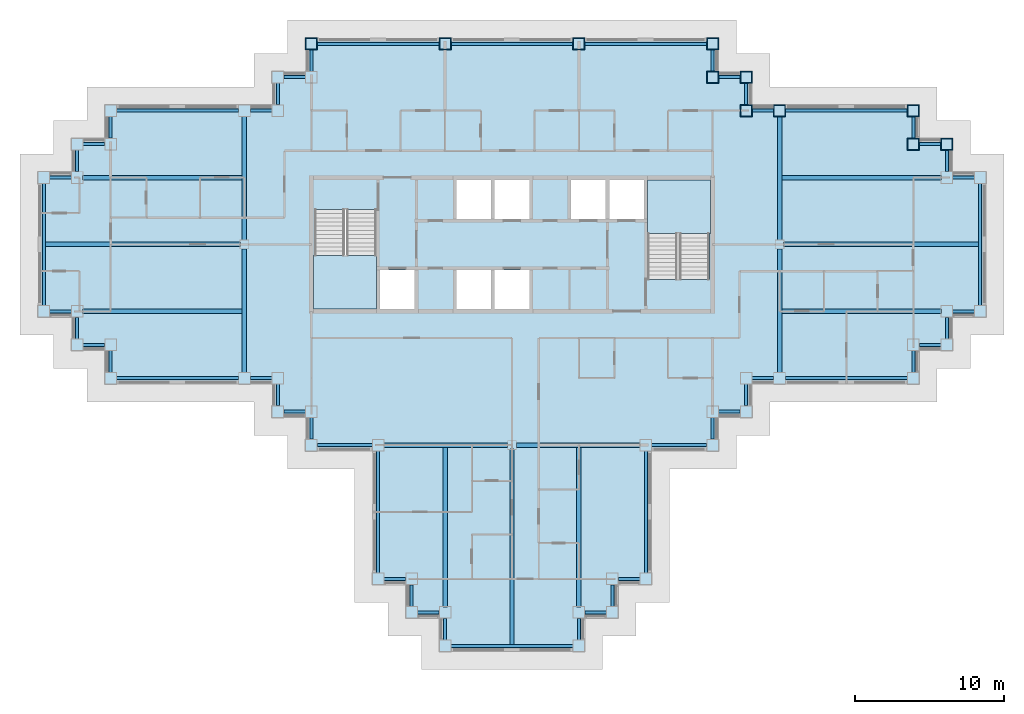
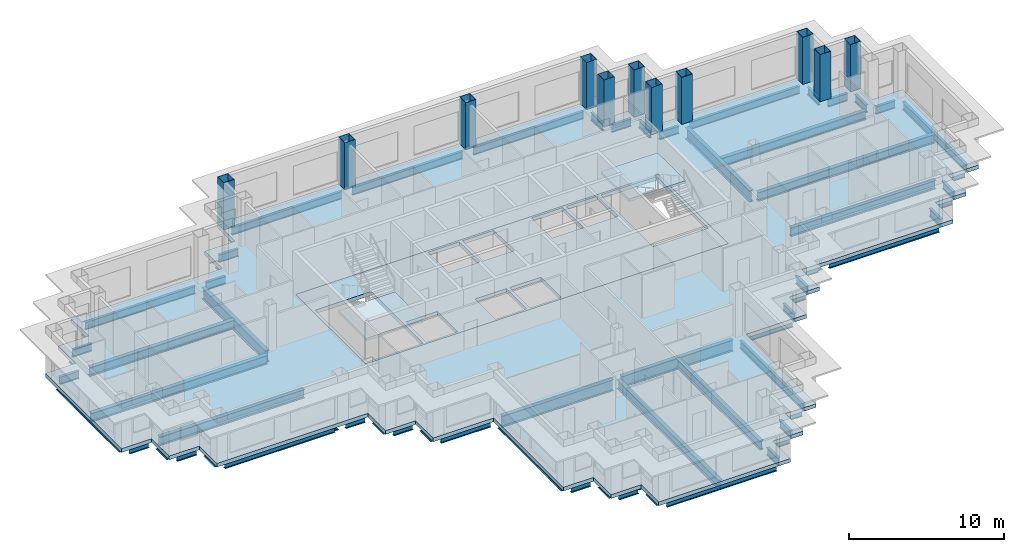
# One storey, part 2 of 13: 69 beams, 11 columns, 4 slabs, 2 elements without a shape of their own.
"""IFC4 building model written with IfcOpenShell, lengths in metres."""

from ifc_helpers import new_model, si_unit, direction, frame, origin, origin_2d, place, context, subcontext, project, spatial, polyline, hollow_rectangle, i_section, outline, extrude, material, layer, layer_set, material_profile, profile_set, type_object, element, aggregate, save


model = new_model("IFC4")

# Units and contexts
model_context = context("Model", 3, precision=1e-05, world=origin(), true_north=direction((0.0, 1.0)))
body_context = subcontext(model_context, "Body", "Model", "MODEL_VIEW")
ifc_project = project(units=[si_unit("LENGTHUNIT", "METRE"), si_unit("AREAUNIT", "SQUARE_METRE"), si_unit("VOLUMEUNIT", "CUBIC_METRE"), si_unit("PLANEANGLEUNIT", "RADIAN"), si_unit("MASSUNIT", "GRAM", prefix="KILO")], contexts=[model_context])

# Site, building, storey
site_placement = place(None, origin())
site = spatial("IfcSite", under=ifc_project, at=site_placement, CompositionType="ELEMENT")
building_placement = place(site_placement, origin())
building = spatial("IfcBuilding", under=site, at=building_placement, Name="Caravel Reach Hotel and Residences", CompositionType="ELEMENT")
storey_placement = place(building_placement, frame((0.0, 0.0, 158.0)))
storey = spatial("IfcBuildingStorey", under=building, at=storey_placement, Name="L39", CompositionType="ELEMENT", Elevation=158.0)

# Columns
ifc_material_1 = material(Name="Concrete-filled steel tube Q390B with Concrete C60 infill", Category="concrete")
ifc_material_profile_1 = material_profile(ifc_material_1, hollow_rectangle(XDim=0.800048828125, YDim=0.800048828125, WallThickness=0.02490234375, at=origin_2d()), Name="RHS 800x800x25")
ifc_profile_set_1 = profile_set([ifc_material_profile_1], Name="Concrete-filled steel tube Q390B with Concrete C60 infill")
column_type = type_object("IfcColumnType", Name="CFT 800x800 Q390B C60", PredefinedType="COLUMN", material=ifc_profile_set_1)
for number, where, z_axis, x_axis, name in (
    (1, (60.75, 33.75, 0.0), (0.0, 0.0, 1.0), (1.0, 0.0, 0.0), "C5 column"),
    (2, (58.5, 33.75, 0.0), (0.0, 0.0, 1.0), (1.0, 0.0, 0.0), "C5 column"),
    (3, (58.5, 36.0, 0.0), (0.0, 0.0, 1.0), (1.0, 0.0, 0.0), "C5 column"),
    (4, (49.5, 36.0, 0.0), (0.0, 0.0, 1.0), (1.0, 0.0, 0.0), "C5 column"),
    (5, (47.25, 36.0, 0.0), (0.0, 0.0, 1.0), (1.0, 0.0, 0.0), "C5 column"),
    (6, (47.25, 38.25, 0.0), (0.0, 0.0, 1.0), (1.0, 0.0, 0.0), "C5 column"),
    (7, (45.0, 38.25, 0.0), (0.0, 0.0, 1.0), (1.0, 0.0, 0.0), "C5 column"),
    (8, (45.0, 40.5, 0.0), (0.0, 0.0, 1.0), (1.0, 0.0, 0.0), "C5 column"),
    (9, (36.0, 40.5, 0.0), (0.0, 0.0, 1.0), (1.0, 0.0, 0.0), "C5 column"),
    (10, (27.0, 40.5, 0.0), (0.0, 0.0, 1.0), (1.0, 0.0, 0.0), "C5 column"),
    (11, (18.0, 40.5, 0.0), (0.0, 0.0, 1.0), (1.0, 0.0, 0.0), "C5 column"),
):
    element("IfcColumn", number, at=place(storey_placement, frame(where, z_axis=z_axis, x_axis=x_axis)), inside=storey, type_object=column_type, Name=name, PredefinedType="COLUMN", context=body_context, shape_type="SweptSolid", body=[
        extrude(hollow_rectangle(XDim=0.800048828125, YDim=0.800048828125, WallThickness=0.02490234375, at=origin_2d()), origin(), (0.0, 0.0, 1.0), 3.699951171875),
    ])

# Beams
ifc_material_2 = material(Name="Structural steel Q355B", Category="steel")
ifc_material_profile_2 = material_profile(ifc_material_2, i_section(OverallWidth=0.300048828125, OverallDepth=0.699951171875, WebThickness=0.012939453125, FlangeThickness=0.02392578125, FilletRadius=0.01806640625, at=origin_2d()), Name="HN 700x300x13x24")
ifc_profile_set_2 = profile_set([ifc_material_profile_2], Name="Structural steel Q355B")
beam_type_1 = type_object("IfcBeamType", Name="Beam HN 700x300x13x24", PredefinedType="BEAM", material=ifc_profile_set_2)
beam_1_placement = place(storey_placement, frame((27.0, 13.39990234375, -0.64990234375), z_axis=(0.0, -1.0, 0.0), x_axis=(1.0, 0.0, 0.0)))
element("IfcBeam", 12, at=beam_1_placement, inside=storey, type_object=beam_type_1, Name="B2 HN 700x300x13x24", PredefinedType="BEAM", context=body_context, shape_type="SweptSolid", body=[
    extrude(i_section(OverallWidth=0.300048828125, OverallDepth=0.699951171875, WebThickness=0.012939453125, FlangeThickness=0.02392578125, FilletRadius=0.01806640625, at=origin_2d()), origin(), (0.0, 0.0, 1.0), 10.7998046875),
])
beam_2_placement = place(storey_placement, frame((31.5, 13.25, -0.64990234375), z_axis=(0.0, -1.0, 0.0), x_axis=(1.0, 0.0, 0.0)))
element("IfcBeam", 13, at=beam_2_placement, inside=storey, type_object=beam_type_1, Name="B2 HN 700x300x13x24", PredefinedType="BEAM", context=body_context, shape_type="SweptSolid", body=[
    extrude(i_section(OverallWidth=0.300048828125, OverallDepth=0.699951171875, WebThickness=0.012939453125, FlangeThickness=0.02392578125, FilletRadius=0.01806640625, at=origin_2d()), origin(), (0.0, 0.0, 1.0), 13.14990234375),
])
for number, where, z_axis, x_axis, name in (
    (14, (36.0, 13.39990234375, -0.64990234375), (0.0, -1.0, 0.0), (1.0, 0.0, 0.0), "B2 HN 700x300x13x24"),
    (15, (49.60009765625, 22.5, -0.64990234375), (1.0, 0.0, 0.0), (0.0, 1.0, 0.0), "B2 HN 700x300x13x24"),
):
    element("IfcBeam", number, at=place(storey_placement, frame(where, z_axis=z_axis, x_axis=x_axis)), inside=storey, type_object=beam_type_1, Name=name, PredefinedType="BEAM", context=body_context, shape_type="SweptSolid", body=[
        extrude(i_section(OverallWidth=0.300048828125, OverallDepth=0.699951171875, WebThickness=0.012939453125, FlangeThickness=0.02392578125, FilletRadius=0.01806640625, at=origin_2d()), origin(), (0.0, 0.0, 1.0), 10.7998046875),
    ])
beam_3_placement = place(storey_placement, frame((49.75, 27.0, -0.64990234375), z_axis=(1.0, 0.0, 0.0), x_axis=(0.0, 1.0, 0.0)))
element("IfcBeam", 16, at=beam_3_placement, inside=storey, type_object=beam_type_1, Name="B2 HN 700x300x13x24", PredefinedType="BEAM", context=body_context, shape_type="SweptSolid", body=[
    extrude(i_section(OverallWidth=0.300048828125, OverallDepth=0.699951171875, WebThickness=0.012939453125, FlangeThickness=0.02392578125, FilletRadius=0.01806640625, at=origin_2d()), origin(), (0.0, 0.0, 1.0), 13.14990234375),
])
for number, where, z_axis, x_axis, name in (
    (17, (49.60009765625, 31.5, -0.64990234375), (1.0, 0.0, 0.0), (0.0, 1.0, 0.0), "B2 HN 700x300x13x24"),
    (18, (13.39990234375, 22.5, -0.64990234375), (-1.0, 0.0, 0.0), (0.0, -1.0, 0.0), "B2 HN 700x300x13x24"),
):
    element("IfcBeam", number, at=place(storey_placement, frame(where, z_axis=z_axis, x_axis=x_axis)), inside=storey, type_object=beam_type_1, Name=name, PredefinedType="BEAM", context=body_context, shape_type="SweptSolid", body=[
        extrude(i_section(OverallWidth=0.300048828125, OverallDepth=0.699951171875, WebThickness=0.012939453125, FlangeThickness=0.02392578125, FilletRadius=0.01806640625, at=origin_2d()), origin(), (0.0, 0.0, 1.0), 10.7998046875),
    ])
beam_4_placement = place(storey_placement, frame((13.25, 27.0, -0.64990234375), z_axis=(-1.0, 0.0, 0.0), x_axis=(0.0, -1.0, 0.0)))
element("IfcBeam", 19, at=beam_4_placement, inside=storey, type_object=beam_type_1, Name="B2 HN 700x300x13x24", PredefinedType="BEAM", context=body_context, shape_type="SweptSolid", body=[
    extrude(i_section(OverallWidth=0.300048828125, OverallDepth=0.699951171875, WebThickness=0.012939453125, FlangeThickness=0.02392578125, FilletRadius=0.01806640625, at=origin_2d()), origin(), (0.0, 0.0, 1.0), 13.14990234375),
])
beam_5_placement = place(storey_placement, frame((13.39990234375, 31.5, -0.64990234375), z_axis=(-1.0, 0.0, 0.0), x_axis=(0.0, -1.0, 0.0)))
element("IfcBeam", 20, at=beam_5_placement, inside=storey, type_object=beam_type_1, Name="B2 HN 700x300x13x24", PredefinedType="BEAM", context=body_context, shape_type="SweptSolid", body=[
    extrude(i_section(OverallWidth=0.300048828125, OverallDepth=0.699951171875, WebThickness=0.012939453125, FlangeThickness=0.02392578125, FilletRadius=0.01806640625, at=origin_2d()), origin(), (0.0, 0.0, 1.0), 10.7998046875),
])
ifc_material_3 = material(Name="Structural steel Q355B", Category="steel")
ifc_material_profile_3 = material_profile(ifc_material_3, i_section(OverallWidth=0.300048828125, OverallDepth=0.89990234375, WebThickness=0.01611328125, FlangeThickness=0.028076171875, FilletRadius=0.01806640625, at=origin_2d()), Name="HN 900x300x16x28")
ifc_profile_set_3 = profile_set([ifc_material_profile_3], Name="Structural steel Q355B")
beam_type_2 = type_object("IfcBeamType", Name="Beam HN 900x300x16x28", PredefinedType="BEAM", material=ifc_profile_set_3)
for number, where, z_axis, x_axis, name in (
    (21, (22.89990234375, 13.5, -0.75), (1.0, 0.0, 0.0), (0.0, 1.0, 0.0), "B3 HN 900x300x16x28"),
    (22, (31.800048828125, 13.5, -0.75), (1.0, 0.0, 0.0), (0.0, 1.0, 0.0), "B3 HN 900x300x16x28"),
    (23, (13.5, 18.39990234375, -0.75), (0.0, 1.0, 0.0), (-1.0, 0.0, 0.0), "B3 HN 900x300x16x28"),
    (24, (13.5, 27.300048828125, -0.75), (0.0, 1.0, 0.0), (-1.0, 0.0, 0.0), "B3 HN 900x300x16x28"),
    (25, (49.5, 18.39990234375, -0.75), (0.0, 1.0, 0.0), (-1.0, 0.0, 0.0), "B3 HN 900x300x16x28"),
    (26, (49.5, 27.300048828125, -0.75), (0.0, 1.0, 0.0), (-1.0, 0.0, 0.0), "B3 HN 900x300x16x28"),
):
    element("IfcBeam", number, at=place(storey_placement, frame(where, z_axis=z_axis, x_axis=x_axis)), inside=storey, type_object=beam_type_2, Name=name, PredefinedType="BEAM", context=body_context, shape_type="SweptSolid", body=[
        extrude(i_section(OverallWidth=0.300048828125, OverallDepth=0.89990234375, WebThickness=0.01611328125, FlangeThickness=0.028076171875, FilletRadius=0.01806640625, at=origin_2d()), origin(), (0.0, 0.0, 1.0), 8.300048828125),
    ])
ifc_material_4 = material(Name="Structural steel Q355B", Category="steel")
ifc_material_profile_4 = material_profile(ifc_material_4, i_section(OverallWidth=0.199951171875, OverallDepth=0.60009765625, WebThickness=0.010986328125, FlangeThickness=0.01708984375, FilletRadius=0.012939453125, at=origin_2d()), Name="HN 600x200x11x17")
ifc_profile_set_4 = profile_set([ifc_material_profile_4], Name="Structural steel Q355B")
beam_type_3 = type_object("IfcBeamType", Name="Spandrel beam HN 600x200x11x17", PredefinedType="SPANDREL", material=ifc_profile_set_4)
for number, where, z_axis, x_axis, name in (
    (27, (22.89990234375, 4.5, -0.60009765625), (1.0, 0.0, 0.0), (0.0, 1.0, 0.0), "SP1 HN 600x200x11x17"),
    (28, (24.75, 4.10009765625, -0.60009765625), (0.0, -1.0, 0.0), (1.0, 0.0, 0.0), "SP1 HN 600x200x11x17"),
    (29, (25.14990234375, 2.25, -0.60009765625), (1.0, 0.0, 0.0), (0.0, 1.0, 0.0), "SP1 HN 600x200x11x17"),
    (30, (27.0, 1.85009765625, -0.60009765625), (0.0, -1.0, 0.0), (1.0, 0.0, 0.0), "SP1 HN 600x200x11x17"),
):
    element("IfcBeam", number, at=place(storey_placement, frame(where, z_axis=z_axis, x_axis=x_axis)), inside=storey, type_object=beam_type_3, Name=name, PredefinedType="SPANDREL", context=body_context, shape_type="SweptSolid", body=[
        extrude(i_section(OverallWidth=0.199951171875, OverallDepth=0.60009765625, WebThickness=0.010986328125, FlangeThickness=0.01708984375, FilletRadius=0.012939453125, at=origin_2d()), origin(), (0.0, 0.0, 1.0), 1.4501953125),
    ])
beam_6_placement = place(storey_placement, frame((27.39990234375, 0.0, -0.60009765625), z_axis=(1.0, 0.0, 0.0), x_axis=(0.0, 1.0, 0.0)))
element("IfcBeam", 31, at=beam_6_placement, inside=storey, type_object=beam_type_3, Name="SP1 HN 600x200x11x17", PredefinedType="SPANDREL", context=body_context, shape_type="SweptSolid", body=[
    extrude(i_section(OverallWidth=0.199951171875, OverallDepth=0.60009765625, WebThickness=0.010986328125, FlangeThickness=0.01708984375, FilletRadius=0.012939453125, at=origin_2d()), origin(), (0.0, 0.0, 1.0), 8.2001953125),
])
for number, where, z_axis, x_axis, name in (
    (32, (36.0, 0.39990234375, -0.60009765625), (0.0, 1.0, 0.0), (-1.0, 0.0, 0.0), "SP1 HN 600x200x11x17"),
    (33, (36.39990234375, 2.25, -0.60009765625), (1.0, 0.0, 0.0), (0.0, 1.0, 0.0), "SP1 HN 600x200x11x17"),
    (34, (38.25, 2.64990234375, -0.60009765625), (0.0, 1.0, 0.0), (-1.0, 0.0, 0.0), "SP1 HN 600x200x11x17"),
    (35, (38.64990234375, 4.5, -0.60009765625), (1.0, 0.0, 0.0), (0.0, 1.0, 0.0), "SP1 HN 600x200x11x17"),
):
    element("IfcBeam", number, at=place(storey_placement, frame(where, z_axis=z_axis, x_axis=x_axis)), inside=storey, type_object=beam_type_3, Name=name, PredefinedType="SPANDREL", context=body_context, shape_type="SweptSolid", body=[
        extrude(i_section(OverallWidth=0.199951171875, OverallDepth=0.60009765625, WebThickness=0.010986328125, FlangeThickness=0.01708984375, FilletRadius=0.012939453125, at=origin_2d()), origin(), (0.0, 0.0, 1.0), 1.4501953125),
    ])
beam_7_placement = place(storey_placement, frame((40.5, 4.89990234375, -0.60009765625), z_axis=(0.0, 1.0, 0.0), x_axis=(-1.0, 0.0, 0.0)))
element("IfcBeam", 36, at=beam_7_placement, inside=storey, type_object=beam_type_3, Name="SP1 HN 600x200x11x17", PredefinedType="SPANDREL", context=body_context, shape_type="SweptSolid", body=[
    extrude(i_section(OverallWidth=0.199951171875, OverallDepth=0.60009765625, WebThickness=0.010986328125, FlangeThickness=0.01708984375, FilletRadius=0.012939453125, at=origin_2d()), origin(), (0.0, 0.0, 1.0), 8.2001953125),
])
beam_8_placement = place(storey_placement, frame((40.89990234375, 13.5, -0.60009765625), z_axis=(1.0, 0.0, 0.0), x_axis=(0.0, 1.0, 0.0)))
element("IfcBeam", 37, at=beam_8_placement, inside=storey, type_object=beam_type_3, Name="SP1 HN 600x200x11x17", PredefinedType="SPANDREL", context=body_context, shape_type="SweptSolid", body=[
    extrude(i_section(OverallWidth=0.199951171875, OverallDepth=0.60009765625, WebThickness=0.010986328125, FlangeThickness=0.01708984375, FilletRadius=0.012939453125, at=origin_2d()), origin(), (0.0, 0.0, 1.0), 3.7001953125),
])
for number, where, z_axis, x_axis, name in (
    (38, (45.0, 13.89990234375, -0.60009765625), (0.0, 1.0, 0.0), (-1.0, 0.0, 0.0), "SP1 HN 600x200x11x17"),
    (39, (45.39990234375, 15.75, -0.60009765625), (1.0, 0.0, 0.0), (0.0, 1.0, 0.0), "SP1 HN 600x200x11x17"),
    (40, (47.25, 16.14990234375, -0.60009765625), (0.0, 1.0, 0.0), (-1.0, 0.0, 0.0), "SP1 HN 600x200x11x17"),
    (41, (47.64990234375, 18.0, -0.60009765625), (1.0, 0.0, 0.0), (0.0, 1.0, 0.0), "SP1 HN 600x200x11x17"),
):
    element("IfcBeam", number, at=place(storey_placement, frame(where, z_axis=z_axis, x_axis=x_axis)), inside=storey, type_object=beam_type_3, Name=name, PredefinedType="SPANDREL", context=body_context, shape_type="SweptSolid", body=[
        extrude(i_section(OverallWidth=0.199951171875, OverallDepth=0.60009765625, WebThickness=0.010986328125, FlangeThickness=0.01708984375, FilletRadius=0.012939453125, at=origin_2d()), origin(), (0.0, 0.0, 1.0), 1.4501953125),
    ])
beam_9_placement = place(storey_placement, frame((49.89990234375, 18.0, -0.60009765625), z_axis=(1.0, 0.0, 0.0), x_axis=(0.0, 1.0, 0.0)))
element("IfcBeam", 42, at=beam_9_placement, inside=storey, type_object=beam_type_3, Name="SP1 HN 600x200x11x17", PredefinedType="SPANDREL", context=body_context, shape_type="SweptSolid", body=[
    extrude(i_section(OverallWidth=0.199951171875, OverallDepth=0.60009765625, WebThickness=0.010986328125, FlangeThickness=0.01708984375, FilletRadius=0.012939453125, at=origin_2d()), origin(), (0.0, 0.0, 1.0), 8.2001953125),
])
for number, where, z_axis, x_axis, name in (
    (43, (58.5, 18.39990234375, -0.60009765625), (0.0, 1.0, 0.0), (-1.0, 0.0, 0.0), "SP1 HN 600x200x11x17"),
    (44, (58.89990234375, 20.25, -0.60009765625), (1.0, 0.0, 0.0), (0.0, 1.0, 0.0), "SP1 HN 600x200x11x17"),
    (45, (60.75, 20.64990234375, -0.60009765625), (0.0, 1.0, 0.0), (-1.0, 0.0, 0.0), "SP1 HN 600x200x11x17"),
    (46, (61.14990234375, 22.5, -0.60009765625), (1.0, 0.0, 0.0), (0.0, 1.0, 0.0), "SP1 HN 600x200x11x17"),
):
    element("IfcBeam", number, at=place(storey_placement, frame(where, z_axis=z_axis, x_axis=x_axis)), inside=storey, type_object=beam_type_3, Name=name, PredefinedType="SPANDREL", context=body_context, shape_type="SweptSolid", body=[
        extrude(i_section(OverallWidth=0.199951171875, OverallDepth=0.60009765625, WebThickness=0.010986328125, FlangeThickness=0.01708984375, FilletRadius=0.012939453125, at=origin_2d()), origin(), (0.0, 0.0, 1.0), 1.4501953125),
    ])
beam_10_placement = place(storey_placement, frame((63.0, 22.89990234375, -0.60009765625), z_axis=(0.0, 1.0, 0.0), x_axis=(-1.0, 0.0, 0.0)))
element("IfcBeam", 47, at=beam_10_placement, inside=storey, type_object=beam_type_3, Name="SP1 HN 600x200x11x17", PredefinedType="SPANDREL", context=body_context, shape_type="SweptSolid", body=[
    extrude(i_section(OverallWidth=0.199951171875, OverallDepth=0.60009765625, WebThickness=0.010986328125, FlangeThickness=0.01708984375, FilletRadius=0.012939453125, at=origin_2d()), origin(), (0.0, 0.0, 1.0), 8.2001953125),
])
for number, where, z_axis, x_axis, name in (
    (48, (62.60009765625, 31.5, -0.60009765625), (-1.0, 0.0, 0.0), (0.0, -1.0, 0.0), "SP1 HN 600x200x11x17"),
    (49, (60.75, 31.89990234375, -0.60009765625), (0.0, 1.0, 0.0), (-1.0, 0.0, 0.0), "SP1 HN 600x200x11x17"),
    (50, (60.35009765625, 33.75, -0.60009765625), (-1.0, 0.0, 0.0), (0.0, -1.0, 0.0), "SP1 HN 600x200x11x17"),
    (51, (58.5, 34.14990234375, -0.60009765625), (0.0, 1.0, 0.0), (-1.0, 0.0, 0.0), "SP1 HN 600x200x11x17"),
):
    element("IfcBeam", number, at=place(storey_placement, frame(where, z_axis=z_axis, x_axis=x_axis)), inside=storey, type_object=beam_type_3, Name=name, PredefinedType="SPANDREL", context=body_context, shape_type="SweptSolid", body=[
        extrude(i_section(OverallWidth=0.199951171875, OverallDepth=0.60009765625, WebThickness=0.010986328125, FlangeThickness=0.01708984375, FilletRadius=0.012939453125, at=origin_2d()), origin(), (0.0, 0.0, 1.0), 1.4501953125),
    ])
beam_11_placement = place(storey_placement, frame((58.10009765625, 36.0, -0.60009765625), z_axis=(-1.0, 0.0, 0.0), x_axis=(0.0, -1.0, 0.0)))
element("IfcBeam", 52, at=beam_11_placement, inside=storey, type_object=beam_type_3, Name="SP1 HN 600x200x11x17", PredefinedType="SPANDREL", context=body_context, shape_type="SweptSolid", body=[
    extrude(i_section(OverallWidth=0.199951171875, OverallDepth=0.60009765625, WebThickness=0.010986328125, FlangeThickness=0.01708984375, FilletRadius=0.012939453125, at=origin_2d()), origin(), (0.0, 0.0, 1.0), 8.2001953125),
])
for number, where, z_axis, x_axis, name in (
    (53, (49.10009765625, 36.0, -0.60009765625), (-1.0, 0.0, 0.0), (0.0, -1.0, 0.0), "SP1 HN 600x200x11x17"),
    (54, (47.25, 36.39990234375, -0.60009765625), (0.0, 1.0, 0.0), (-1.0, 0.0, 0.0), "SP1 HN 600x200x11x17"),
    (55, (46.85009765625, 38.25, -0.60009765625), (-1.0, 0.0, 0.0), (0.0, -1.0, 0.0), "SP1 HN 600x200x11x17"),
    (56, (45.0, 38.64990234375, -0.60009765625), (0.0, 1.0, 0.0), (-1.0, 0.0, 0.0), "SP1 HN 600x200x11x17"),
):
    element("IfcBeam", number, at=place(storey_placement, frame(where, z_axis=z_axis, x_axis=x_axis)), inside=storey, type_object=beam_type_3, Name=name, PredefinedType="SPANDREL", context=body_context, shape_type="SweptSolid", body=[
        extrude(i_section(OverallWidth=0.199951171875, OverallDepth=0.60009765625, WebThickness=0.010986328125, FlangeThickness=0.01708984375, FilletRadius=0.012939453125, at=origin_2d()), origin(), (0.0, 0.0, 1.0), 1.4501953125),
    ])
for number, where, z_axis, x_axis, name in (
    (57, (44.60009765625, 40.5, -0.60009765625), (-1.0, 0.0, 0.0), (0.0, -1.0, 0.0), "SP1 HN 600x200x11x17"),
    (58, (35.60009765625, 40.5, -0.60009765625), (-1.0, 0.0, 0.0), (0.0, -1.0, 0.0), "SP1 HN 600x200x11x17"),
    (59, (26.60009765625, 40.5, -0.60009765625), (-1.0, 0.0, 0.0), (0.0, -1.0, 0.0), "SP1 HN 600x200x11x17"),
):
    element("IfcBeam", number, at=place(storey_placement, frame(where, z_axis=z_axis, x_axis=x_axis)), inside=storey, type_object=beam_type_3, Name=name, PredefinedType="SPANDREL", context=body_context, shape_type="SweptSolid", body=[
        extrude(i_section(OverallWidth=0.199951171875, OverallDepth=0.60009765625, WebThickness=0.010986328125, FlangeThickness=0.01708984375, FilletRadius=0.012939453125, at=origin_2d()), origin(), (0.0, 0.0, 1.0), 8.2001953125),
    ])
for number, where, z_axis, x_axis, name in (
    (60, (18.0, 40.10009765625, -0.60009765625), (0.0, -1.0, 0.0), (1.0, 0.0, 0.0), "SP1 HN 600x200x11x17"),
    (61, (17.60009765625, 38.25, -0.60009765625), (-1.0, 0.0, 0.0), (0.0, -1.0, 0.0), "SP1 HN 600x200x11x17"),
    (62, (15.75, 37.85009765625, -0.60009765625), (0.0, -1.0, 0.0), (1.0, 0.0, 0.0), "SP1 HN 600x200x11x17"),
    (63, (15.35009765625, 36.0, -0.60009765625), (-1.0, 0.0, 0.0), (0.0, -1.0, 0.0), "SP1 HN 600x200x11x17"),
):
    element("IfcBeam", number, at=place(storey_placement, frame(where, z_axis=z_axis, x_axis=x_axis)), inside=storey, type_object=beam_type_3, Name=name, PredefinedType="SPANDREL", context=body_context, shape_type="SweptSolid", body=[
        extrude(i_section(OverallWidth=0.199951171875, OverallDepth=0.60009765625, WebThickness=0.010986328125, FlangeThickness=0.01708984375, FilletRadius=0.012939453125, at=origin_2d()), origin(), (0.0, 0.0, 1.0), 1.4501953125),
    ])
beam_12_placement = place(storey_placement, frame((13.10009765625, 36.0, -0.60009765625), z_axis=(-1.0, 0.0, 0.0), x_axis=(0.0, -1.0, 0.0)))
element("IfcBeam", 64, at=beam_12_placement, inside=storey, type_object=beam_type_3, Name="SP1 HN 600x200x11x17", PredefinedType="SPANDREL", context=body_context, shape_type="SweptSolid", body=[
    extrude(i_section(OverallWidth=0.199951171875, OverallDepth=0.60009765625, WebThickness=0.010986328125, FlangeThickness=0.01708984375, FilletRadius=0.012939453125, at=origin_2d()), origin(), (0.0, 0.0, 1.0), 8.2001953125),
])
for number, where, z_axis, x_axis, name in (
    (65, (4.5, 35.60009765625, -0.60009765625), (0.0, -1.0, 0.0), (1.0, 0.0, 0.0), "SP1 HN 600x200x11x17"),
    (66, (4.10009765625, 33.75, -0.60009765625), (-1.0, 0.0, 0.0), (0.0, -1.0, 0.0), "SP1 HN 600x200x11x17"),
    (67, (2.25, 33.35009765625, -0.60009765625), (0.0, -1.0, 0.0), (1.0, 0.0, 0.0), "SP1 HN 600x200x11x17"),
    (68, (1.85009765625, 31.5, -0.60009765625), (-1.0, 0.0, 0.0), (0.0, -1.0, 0.0), "SP1 HN 600x200x11x17"),
):
    element("IfcBeam", number, at=place(storey_placement, frame(where, z_axis=z_axis, x_axis=x_axis)), inside=storey, type_object=beam_type_3, Name=name, PredefinedType="SPANDREL", context=body_context, shape_type="SweptSolid", body=[
        extrude(i_section(OverallWidth=0.199951171875, OverallDepth=0.60009765625, WebThickness=0.010986328125, FlangeThickness=0.01708984375, FilletRadius=0.012939453125, at=origin_2d()), origin(), (0.0, 0.0, 1.0), 1.4501953125),
    ])
beam_13_placement = place(storey_placement, frame((0.0, 31.10009765625, -0.60009765625), z_axis=(0.0, -1.0, 0.0), x_axis=(1.0, 0.0, 0.0)))
element("IfcBeam", 69, at=beam_13_placement, inside=storey, type_object=beam_type_3, Name="SP1 HN 600x200x11x17", PredefinedType="SPANDREL", context=body_context, shape_type="SweptSolid", body=[
    extrude(i_section(OverallWidth=0.199951171875, OverallDepth=0.60009765625, WebThickness=0.010986328125, FlangeThickness=0.01708984375, FilletRadius=0.012939453125, at=origin_2d()), origin(), (0.0, 0.0, 1.0), 8.2001953125),
])
for number, where, z_axis, x_axis, name in (
    (70, (0.39990234375, 22.5, -0.60009765625), (1.0, 0.0, 0.0), (0.0, 1.0, 0.0), "SP1 HN 600x200x11x17"),
    (71, (2.25, 22.10009765625, -0.60009765625), (0.0, -1.0, 0.0), (1.0, 0.0, 0.0), "SP1 HN 600x200x11x17"),
    (72, (2.64990234375, 20.25, -0.60009765625), (1.0, 0.0, 0.0), (0.0, 1.0, 0.0), "SP1 HN 600x200x11x17"),
    (73, (4.5, 19.85009765625, -0.60009765625), (0.0, -1.0, 0.0), (1.0, 0.0, 0.0), "SP1 HN 600x200x11x17"),
):
    element("IfcBeam", number, at=place(storey_placement, frame(where, z_axis=z_axis, x_axis=x_axis)), inside=storey, type_object=beam_type_3, Name=name, PredefinedType="SPANDREL", context=body_context, shape_type="SweptSolid", body=[
        extrude(i_section(OverallWidth=0.199951171875, OverallDepth=0.60009765625, WebThickness=0.010986328125, FlangeThickness=0.01708984375, FilletRadius=0.012939453125, at=origin_2d()), origin(), (0.0, 0.0, 1.0), 1.4501953125),
    ])
beam_14_placement = place(storey_placement, frame((4.89990234375, 18.0, -0.60009765625), z_axis=(1.0, 0.0, 0.0), x_axis=(0.0, 1.0, 0.0)))
element("IfcBeam", 74, at=beam_14_placement, inside=storey, type_object=beam_type_3, Name="SP1 HN 600x200x11x17", PredefinedType="SPANDREL", context=body_context, shape_type="SweptSolid", body=[
    extrude(i_section(OverallWidth=0.199951171875, OverallDepth=0.60009765625, WebThickness=0.010986328125, FlangeThickness=0.01708984375, FilletRadius=0.012939453125, at=origin_2d()), origin(), (0.0, 0.0, 1.0), 8.2001953125),
])
for number, where, z_axis, x_axis, name in (
    (75, (13.89990234375, 18.0, -0.60009765625), (1.0, 0.0, 0.0), (0.0, 1.0, 0.0), "SP1 HN 600x200x11x17"),
    (76, (15.75, 17.60009765625, -0.60009765625), (0.0, -1.0, 0.0), (1.0, 0.0, 0.0), "SP1 HN 600x200x11x17"),
    (77, (16.14990234375, 15.75, -0.60009765625), (1.0, 0.0, 0.0), (0.0, 1.0, 0.0), "SP1 HN 600x200x11x17"),
    (78, (18.0, 15.35009765625, -0.60009765625), (0.0, -1.0, 0.0), (1.0, 0.0, 0.0), "SP1 HN 600x200x11x17"),
):
    element("IfcBeam", number, at=place(storey_placement, frame(where, z_axis=z_axis, x_axis=x_axis)), inside=storey, type_object=beam_type_3, Name=name, PredefinedType="SPANDREL", context=body_context, shape_type="SweptSolid", body=[
        extrude(i_section(OverallWidth=0.199951171875, OverallDepth=0.60009765625, WebThickness=0.010986328125, FlangeThickness=0.01708984375, FilletRadius=0.012939453125, at=origin_2d()), origin(), (0.0, 0.0, 1.0), 1.4501953125),
    ])
beam_15_placement = place(storey_placement, frame((18.39990234375, 13.5, -0.60009765625), z_axis=(1.0, 0.0, 0.0), x_axis=(0.0, 1.0, 0.0)))
element("IfcBeam", 79, at=beam_15_placement, inside=storey, type_object=beam_type_3, Name="SP1 HN 600x200x11x17", PredefinedType="SPANDREL", context=body_context, shape_type="SweptSolid", body=[
    extrude(i_section(OverallWidth=0.199951171875, OverallDepth=0.60009765625, WebThickness=0.010986328125, FlangeThickness=0.01708984375, FilletRadius=0.012939453125, at=origin_2d()), origin(), (0.0, 0.0, 1.0), 3.7001953125),
])
beam_16_placement = place(storey_placement, frame((22.5, 13.10009765625, -0.60009765625), z_axis=(0.0, -1.0, 0.0), x_axis=(1.0, 0.0, 0.0)))
element("IfcBeam", 80, at=beam_16_placement, inside=storey, type_object=beam_type_3, Name="SP1 HN 600x200x11x17", PredefinedType="SPANDREL", context=body_context, shape_type="SweptSolid", body=[
    extrude(i_section(OverallWidth=0.199951171875, OverallDepth=0.60009765625, WebThickness=0.010986328125, FlangeThickness=0.01708984375, FilletRadius=0.012939453125, at=origin_2d()), origin(), (0.0, 0.0, 1.0), 8.2001953125),
])

# Slab
ifc_material_5 = material(Name="Concrete C40", Category="concrete")
ifc_layer_1 = layer(ifc_material_5, 0.300048828125)
ifc_layer_set_1 = layer_set([ifc_layer_1], Name="Core floor slab 300 mm")
slab_type_1 = type_object("IfcSlabType", Name="Core floor slab 300 mm", PredefinedType="FLOOR", material=ifc_layer_set_1)
slab_1_placement = place(storey_placement, frame((0.0, 0.0, -0.300048828125)))
element("IfcSlab", 81, at=slab_1_placement, inside=storey, type_object=slab_type_1, Name="L39 core floor", PredefinedType="FLOOR", context=body_context, shape_type="SweptSolid", body=[
    extrude(outline(polyline([(18.0, 31.5), (45.0, 31.5), (45.0, 22.5), (18.0, 22.5), (18.0, 31.5)]), holes=[polyline([(22.625, 25.27490234375), (22.625, 22.64990234375), (24.9462890625, 22.64990234375), (24.9462890625, 25.27490234375), (22.625, 25.27490234375)]), polyline([(27.767822265625, 25.27490234375), (27.767822265625, 22.64990234375), (30.08935546875, 22.64990234375), (30.08935546875, 25.27490234375), (27.767822265625, 25.27490234375)]), polyline([(30.33935546875, 25.27490234375), (30.33935546875, 22.64990234375), (32.66064453125, 22.64990234375), (32.66064453125, 25.27490234375), (30.33935546875, 25.27490234375)]), polyline([(22.375, 22.64990234375), (22.375, 29.35009765625), (18.22509765625, 29.35009765625), (18.22509765625, 22.64990234375), (22.375, 22.64990234375)]), polyline([(40.625, 31.35009765625), (40.625, 24.64990234375), (44.77490234375, 24.64990234375), (44.77490234375, 31.35009765625), (40.625, 31.35009765625)]), polyline([(27.767822265625, 31.35009765625), (27.767822265625, 28.72509765625), (30.08935546875, 28.72509765625), (30.08935546875, 31.35009765625), (27.767822265625, 31.35009765625)]), polyline([(30.33935546875, 31.35009765625), (30.33935546875, 28.72509765625), (32.66064453125, 28.72509765625), (32.66064453125, 31.35009765625), (30.33935546875, 31.35009765625)]), polyline([(37.8037109375, 31.35009765625), (35.482177734375, 31.35009765625), (35.482177734375, 28.72509765625), (37.8037109375, 28.72509765625), (37.8037109375, 31.35009765625)]), polyline([(40.375, 31.35009765625), (38.0537109375, 31.35009765625), (38.0537109375, 28.72509765625), (40.375, 28.72509765625), (40.375, 31.35009765625)])]), origin(), (0.0, 0.0, 1.0), 0.300048828125),
])

# Stair, slab
ifc_material_6 = material(Name="Concrete C40", Category="concrete")
stair_type = type_object("IfcStairType", Name="Core stair", PredefinedType="HALF_TURN_STAIR", material=ifc_material_6)
stair_1_placement = place(storey_placement, origin())
stair_1 = element("IfcStair", 82, at=stair_1_placement, inside=storey, type_object=stair_type, Name="L39 Exit stair A", PredefinedType="HALF_TURN_STAIR")
ifc_material_7 = material(Name="Concrete C40", Category="concrete")
ifc_layer_2 = layer(ifc_material_7, 0.199951171875)
ifc_layer_set_2 = layer_set([ifc_layer_2], Name="Core stair landing")
slab_type_2 = type_object("IfcSlabType", Name="Core stair landing", PredefinedType="LANDING", material=ifc_layer_set_2)
slab_2_placement = place(storey_placement, frame((0.0, 0.0, 1.64990234375)))
slab_2 = element("IfcSlab", 83, at=slab_2_placement, type_object=slab_type_2, Name="ST-A landing 1", PredefinedType="LANDING", context=body_context, shape_type="SweptSolid", body=[
    extrude(outline(polyline([(18.14990234375, 26.27001953125), (18.14990234375, 22.64990234375), (22.375, 22.64990234375), (22.375, 26.27001953125), (18.14990234375, 26.27001953125)])), origin(), (0.0, 0.0, 1.0), 0.2001953125),
])
aggregate(stair_1, [slab_2])

stair_2_placement = place(storey_placement, origin())
stair_2 = element("IfcStair", 84, at=stair_2_placement, inside=storey, type_object=stair_type, Name="L39 Exit stair B", PredefinedType="HALF_TURN_STAIR")
slab_3_placement = place(storey_placement, frame((0.0, 0.0, 1.64990234375)))
slab_3 = element("IfcSlab", 85, at=slab_3_placement, type_object=slab_type_2, Name="ST-B landing 1", PredefinedType="LANDING", context=body_context, shape_type="SweptSolid", body=[
    extrude(outline(polyline([(44.85009765625, 27.72998046875), (44.85009765625, 31.35009765625), (40.625, 31.35009765625), (40.625, 27.72998046875), (44.85009765625, 27.72998046875)])), origin(), (0.0, 0.0, 1.0), 0.2001953125),
])
aggregate(stair_2, [slab_3])

# Slab
ifc_material_8 = material(Name="Concrete C40 post-tensioned", Category="concrete")
ifc_layer_3 = layer(ifc_material_8, 0.300048828125)
ifc_layer_set_3 = layer_set([ifc_layer_3], Name="Floor slab 300")
slab_type_3 = type_object("IfcSlabType", Name="Floor slab 300", PredefinedType="FLOOR", material=ifc_layer_set_3)
slab_4_placement = place(storey_placement, frame((0.0, 0.0, -0.300048828125)))
element("IfcSlab", 86, at=slab_4_placement, inside=storey, type_object=slab_type_3, Name="S2 slab L39", PredefinedType="FLOOR", context=body_context, shape_type="SweptSolid", body=[
    extrude(outline(polyline([(17.60009765625, 13.10009765625), (17.60009765625, 15.35009765625), (15.35009765625, 15.35009765625), (15.35009765625, 17.60009765625), (4.10009765625, 17.60009765625), (4.10009765625, 19.85009765625), (1.85009765625, 19.85009765625), (1.85009765625, 22.10009765625), (-0.39990234375, 22.10009765625), (-0.39990234375, 31.89990234375), (1.85009765625, 31.89990234375), (1.85009765625, 34.14990234375), (4.10009765625, 34.14990234375), (4.10009765625, 36.39990234375), (15.35009765625, 36.39990234375), (15.35009765625, 38.64990234375), (17.60009765625, 38.64990234375), (17.60009765625, 40.89990234375), (45.39990234375, 40.89990234375), (45.39990234375, 38.64990234375), (47.64990234375, 38.64990234375), (47.64990234375, 36.39990234375), (58.89990234375, 36.39990234375), (58.89990234375, 34.14990234375), (61.14990234375, 34.14990234375), (61.14990234375, 31.89990234375), (63.39990234375, 31.89990234375), (63.39990234375, 22.10009765625), (61.14990234375, 22.10009765625), (61.14990234375, 19.85009765625), (58.89990234375, 19.85009765625), (58.89990234375, 17.60009765625), (47.64990234375, 17.60009765625), (47.64990234375, 15.35009765625), (45.39990234375, 15.35009765625), (45.39990234375, 13.10009765625), (40.89990234375, 13.10009765625), (40.89990234375, 4.10009765625), (38.64990234375, 4.10009765625), (38.64990234375, 1.85009765625), (36.39990234375, 1.85009765625), (36.39990234375, -0.39990234375), (26.60009765625, -0.39990234375), (26.60009765625, 1.85009765625), (24.35009765625, 1.85009765625), (24.35009765625, 4.10009765625), (22.10009765625, 4.10009765625), (22.10009765625, 13.10009765625), (17.60009765625, 13.10009765625)]), holes=[polyline([(45.0, 31.5), (18.0, 31.5), (18.0, 22.5), (45.0, 22.5), (45.0, 31.5)])]), origin(), (0.0, 0.0, 1.0), 0.300048828125),
])

save(model, "model.ifc")
